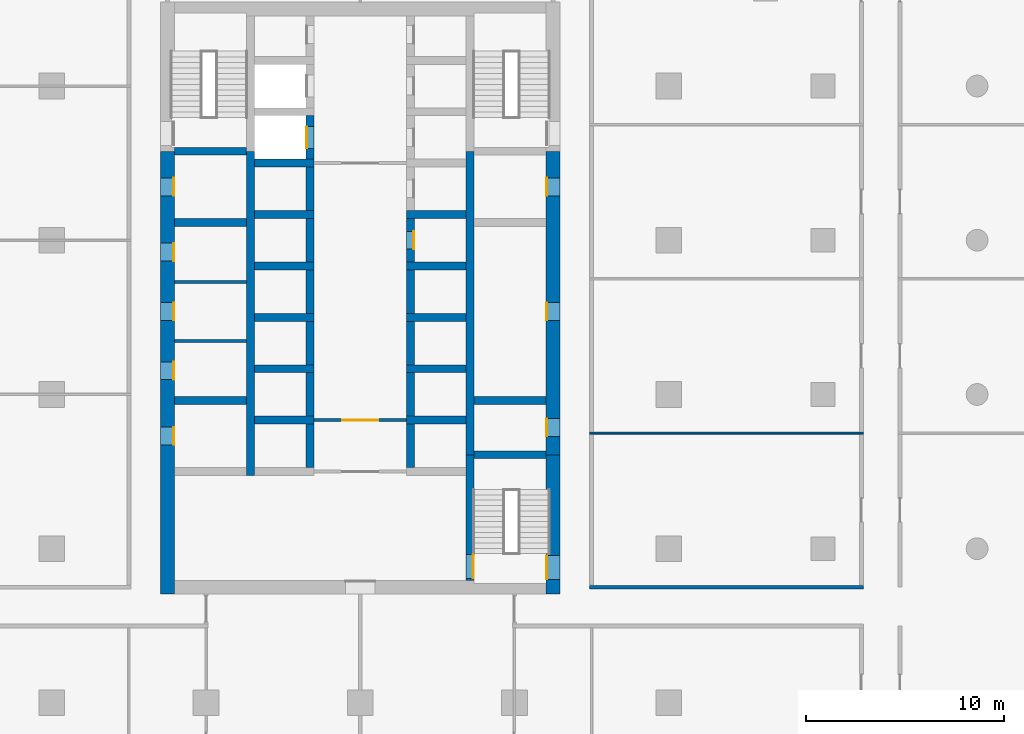
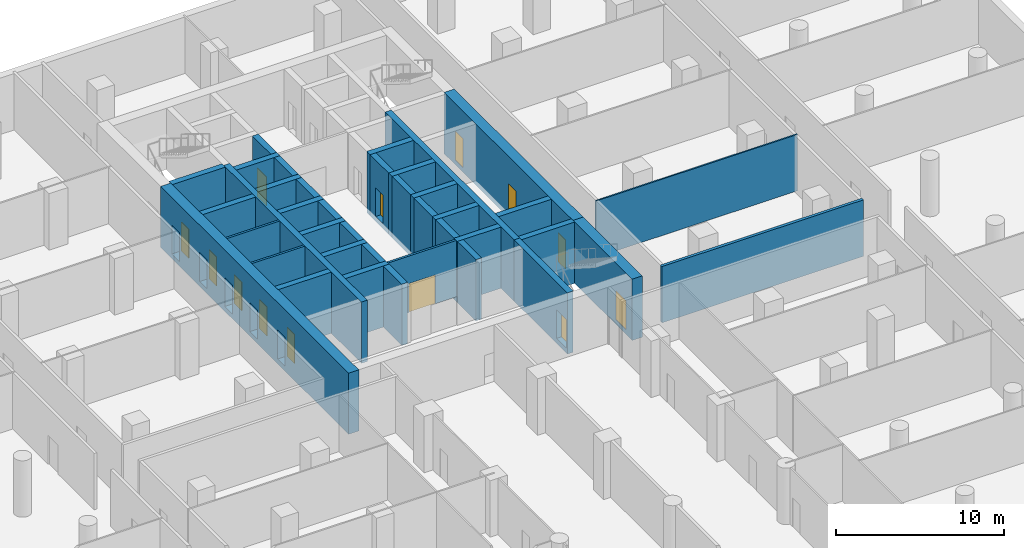
# One storey, part 6 of 14: 39 walls, 13 doors, 13 openings.
"""IFC4 building model written with IfcOpenShell, lengths in metres."""

from ifc_helpers import new_model, si_unit, direction, frame, frame_2d, origin, place, context, subcontext, project, spatial, rectangle, extrude, material, layer, layer_set, type_object, element, fill, save


model = new_model("IFC4")

# Units and contexts
model_context = context("Model", 3, precision=1e-05, world=origin(), true_north=direction((0.0, 1.0)))
body_context = subcontext(model_context, "Body", "Model", "MODEL_VIEW")
ifc_project = project(units=[si_unit("LENGTHUNIT", "METRE"), si_unit("AREAUNIT", "SQUARE_METRE"), si_unit("VOLUMEUNIT", "CUBIC_METRE"), si_unit("PLANEANGLEUNIT", "RADIAN"), si_unit("MASSUNIT", "GRAM", prefix="KILO")], contexts=[model_context])

# Site, building, storey
site_placement = place(None, origin())
site = spatial("IfcSite", under=ifc_project, at=site_placement, CompositionType="ELEMENT")
building_placement = place(site_placement, origin())
building = spatial("IfcBuilding", under=site, at=building_placement, Name="Ludao Terraces", CompositionType="ELEMENT")
storey_placement = place(building_placement, frame((0.0, 0.0, -4.5)))
storey = spatial("IfcBuildingStorey", under=building, at=storey_placement, Name="B1", CompositionType="ELEMENT", Elevation=-4.5)

# Wall, openings, doors
ifc_material_1 = material(Name="Concrete C70", Category="concrete")
ifc_layer_1 = layer(ifc_material_1, 0.699951171875)
ifc_layer_set_1 = layer_set([ifc_layer_1], Name="Core wall 700 C70")
wall_type_1 = type_object("IfcWallType", Name="Core wall 700 C70", PredefinedType="SOLIDWALL", material=ifc_layer_set_1)
wall_1_placement = place(storey_placement, frame((75.25, 54.89990234375, -0.35009765625), z_axis=(0.0, 0.0, 1.0), x_axis=(0.0, 1.0, 0.0)))
wall_1 = element("IfcWall", 1, at=wall_1_placement, inside=storey, type_object=wall_type_1, Name="Core wall B1 outer-W", PredefinedType="SOLIDWALL", context=body_context, shape_type="SweptSolid", body=[
    extrude(rectangle(XDim=22.400146484375, YDim=0.699951171875, at=frame_2d((11.2001953125, 0.0))), origin(), (0.0, 0.0, 1.0), 4.4501953125),
])
opening_1_placement = place(wall_1_placement, frame((7.550048828125, 0.0, 0.35009765625)))
opening_1 = element("IfcOpeningElement", 2, at=opening_1_placement, cuts=wall_1, Name="Opening B1-033", PredefinedType="OPENING", context=body_context, shape_type="SweptSolid", body=[
    extrude(rectangle(XDim=0.89990234375, YDim=2.10009765625, at=frame_2d((0.449951171875, 1.050048828125))), frame((0.0, 0.35986328125, 0.0), z_axis=(0.0, -1.0, 0.0), x_axis=(1.0, 0.0, 0.0)), (0.0, 0.0, 1.0), 0.719970703125),
])
opening_2_placement = place(wall_1_placement, frame((10.85009765625, 0.0, 0.35009765625)))
opening_2 = element("IfcOpeningElement", 3, at=opening_2_placement, cuts=wall_1, Name="Opening B1-036", PredefinedType="OPENING", context=body_context, shape_type="SweptSolid", body=[
    extrude(rectangle(XDim=0.89990234375, YDim=2.10009765625, at=frame_2d((0.449951171875, 1.050048828125))), frame((0.0, 0.35986328125, 0.0), z_axis=(0.0, -1.0, 0.0), x_axis=(1.0, 0.0, 0.0)), (0.0, 0.0, 1.0), 0.719970703125),
])
opening_3_placement = place(wall_1_placement, frame((13.85009765625, 0.0, 0.35009765625)))
opening_3 = element("IfcOpeningElement", 4, at=opening_3_placement, cuts=wall_1, Name="Opening B1-041", PredefinedType="OPENING", context=body_context, shape_type="SweptSolid", body=[
    extrude(rectangle(XDim=0.89990234375, YDim=2.10009765625, at=frame_2d((0.449951171875, 1.050048828125))), frame((0.0, 0.35986328125, 0.0), z_axis=(0.0, -1.0, 0.0), x_axis=(1.0, 0.0, 0.0)), (0.0, 0.0, 1.0), 0.719970703125),
])
opening_4_placement = place(wall_1_placement, frame((16.85009765625, 0.0, 0.35009765625)))
opening_4 = element("IfcOpeningElement", 5, at=opening_4_placement, cuts=wall_1, Name="Opening B1-043", PredefinedType="OPENING", context=body_context, shape_type="SweptSolid", body=[
    extrude(rectangle(XDim=0.89990234375, YDim=2.10009765625, at=frame_2d((0.449951171875, 1.050048828125))), frame((0.0, 0.35986328125, 0.0), z_axis=(0.0, -1.0, 0.0), x_axis=(1.0, 0.0, 0.0)), (0.0, 0.0, 1.0), 0.719970703125),
])
opening_5_placement = place(wall_1_placement, frame((20.14990234375, 0.0, 0.35009765625)))
opening_5 = element("IfcOpeningElement", 6, at=opening_5_placement, cuts=wall_1, Name="Opening B1-048", PredefinedType="OPENING", context=body_context, shape_type="SweptSolid", body=[
    extrude(rectangle(XDim=0.89990234375, YDim=2.10009765625, at=frame_2d((0.449951171875, 1.050048828125))), frame((0.0, 0.35986328125, 0.0), z_axis=(0.0, -1.0, 0.0), x_axis=(1.0, 0.0, 0.0)), (0.0, 0.0, 1.0), 0.719970703125),
])
ifc_material_2 = material(Name="Steel Q235", Category="steel")
door_type_1 = type_object("IfcDoorType", Name="INT Riser door 900", OperationType="SINGLE_SWING_LEFT", PredefinedType="DOOR", material=ifc_material_2)
door_1_placement = place(opening_1_placement, origin())
door_1 = element("IfcDoor", 7, at=door_1_placement, inside=storey, type_object=door_type_1, Name="DOOR 033", OperationType="SINGLE_SWING_LEFT", OverallHeight=2.10009765625, OverallWidth=0.89990234375, PredefinedType="DOOR", context=body_context, shape_type="SweptSolid", body=[
    extrude(rectangle(XDim=0.89990234375, YDim=2.10009765625, at=frame_2d((0.449951171875, 1.050048828125))), frame((0.0, -0.28515625, 0.0), z_axis=(0.0, -1.0, 0.0), x_axis=(1.0, 0.0, 0.0)), (0.0, 0.0, 1.0), 0.050048828125),
])
fill(opening_1, door_1)
door_2_placement = place(opening_5_placement, origin())
door_2 = element("IfcDoor", 8, at=door_2_placement, inside=storey, type_object=door_type_1, Name="DOOR 048", OperationType="SINGLE_SWING_RIGHT", OverallHeight=2.10009765625, OverallWidth=0.89990234375, PredefinedType="DOOR", context=body_context, shape_type="SweptSolid", body=[
    extrude(rectangle(XDim=0.89990234375, YDim=2.10009765625, at=frame_2d((0.449951171875, 1.050048828125))), frame((0.0, -0.28515625, 0.0), z_axis=(0.0, -1.0, 0.0), x_axis=(1.0, 0.0, 0.0)), (0.0, 0.0, 1.0), 0.050048828125),
])
fill(opening_5, door_2)
ifc_material_3 = material(Name="Timber door leaf", Category="wood")
door_type_2 = type_object("IfcDoorType", Name="INT Room door 900", OperationType="SINGLE_SWING_LEFT", PredefinedType="DOOR", material=ifc_material_3)
door_3_placement = place(opening_2_placement, origin())
door_3 = element("IfcDoor", 9, at=door_3_placement, inside=storey, type_object=door_type_2, Name="DOOR 036", OperationType="SINGLE_SWING_RIGHT", OverallHeight=2.10009765625, OverallWidth=0.89990234375, PredefinedType="DOOR", context=body_context, shape_type="SweptSolid", body=[
    extrude(rectangle(XDim=0.89990234375, YDim=2.10009765625, at=frame_2d((0.449951171875, 1.050048828125))), frame((0.0, -0.28515625, 0.0), z_axis=(0.0, -1.0, 0.0), x_axis=(1.0, 0.0, 0.0)), (0.0, 0.0, 1.0), 0.050048828125),
])
fill(opening_2, door_3)
door_4_placement = place(opening_3_placement, origin())
door_4 = element("IfcDoor", 10, at=door_4_placement, inside=storey, type_object=door_type_2, Name="DOOR 041", OperationType="SINGLE_SWING_RIGHT", OverallHeight=2.10009765625, OverallWidth=0.89990234375, PredefinedType="DOOR", context=body_context, shape_type="SweptSolid", body=[
    extrude(rectangle(XDim=0.89990234375, YDim=2.10009765625, at=frame_2d((0.449951171875, 1.050048828125))), frame((0.0, -0.28515625, 0.0), z_axis=(0.0, -1.0, 0.0), x_axis=(1.0, 0.0, 0.0)), (0.0, 0.0, 1.0), 0.050048828125),
])
fill(opening_3, door_4)
door_5_placement = place(opening_4_placement, origin())
door_5 = element("IfcDoor", 11, at=door_5_placement, inside=storey, type_object=door_type_2, Name="DOOR 043", OperationType="SINGLE_SWING_LEFT", OverallHeight=2.10009765625, OverallWidth=0.89990234375, PredefinedType="DOOR", context=body_context, shape_type="SweptSolid", body=[
    extrude(rectangle(XDim=0.89990234375, YDim=2.10009765625, at=frame_2d((0.449951171875, 1.050048828125))), frame((0.0, -0.28515625, 0.0), z_axis=(0.0, -1.0, 0.0), x_axis=(1.0, 0.0, 0.0)), (0.0, 0.0, 1.0), 0.050048828125),
])
fill(opening_4, door_5)

# Wall, opening, door
wall_2_placement = place(storey_placement, frame((94.75, 54.89990234375, -0.35009765625), z_axis=(0.0, 0.0, 1.0), x_axis=(0.0, 1.0, 0.0)))
wall_2 = element("IfcWall", 12, at=wall_2_placement, inside=storey, type_object=wall_type_1, Name="Core wall B1 outer-E-S3", PredefinedType="SOLIDWALL", context=body_context, shape_type="SweptSolid", body=[
    extrude(rectangle(XDim=7.050048828125, YDim=0.699951171875, at=frame_2d((3.52490234375, 0.0))), origin(), (0.0, 0.0, 1.0), 4.4501953125),
])
opening_6_placement = place(wall_2_placement, frame((0.75, 0.0, 0.35009765625)))
opening_6 = element("IfcOpeningElement", 13, at=opening_6_placement, cuts=wall_2, Name="Opening B1-027", PredefinedType="OPENING", context=body_context, shape_type="SweptSolid", body=[
    extrude(rectangle(XDim=1.199951171875, YDim=2.10009765625, at=frame_2d((0.60009765625, 1.050048828125))), frame((0.0, 0.35986328125, 0.0), z_axis=(0.0, -1.0, 0.0), x_axis=(1.0, 0.0, 0.0)), (0.0, 0.0, 1.0), 0.719970703125),
])
door_type_3 = type_object("IfcDoorType", Name="INT Stair door 1200", OperationType="DOUBLE_DOOR_SINGLE_SWING", PredefinedType="DOOR", material=ifc_material_2)
door_6_placement = place(opening_6_placement, origin())
door_6 = element("IfcDoor", 14, at=door_6_placement, inside=storey, type_object=door_type_3, Name="DOOR 027", OperationType="DOUBLE_DOOR_SINGLE_SWING", OverallHeight=2.10009765625, OverallWidth=1.199951171875, PredefinedType="DOOR", context=body_context, shape_type="SweptSolid", body=[
    extrude(rectangle(XDim=1.199951171875, YDim=2.10009765625, at=frame_2d((0.60009765625, 1.050048828125))), frame((0.0, 0.3349609375, 0.0), z_axis=(0.0, -1.0, 0.0), x_axis=(1.0, 0.0, 0.0)), (0.0, 0.0, 1.0), 0.050048828125),
])
fill(opening_6, door_6)

# Wall, openings, doors
wall_3_placement = place(storey_placement, frame((94.75, 61.949951171875, -0.35009765625), z_axis=(0.0, 0.0, 1.0), x_axis=(0.0, 1.0, 0.0)))
wall_3 = element("IfcWall", 15, at=wall_3_placement, inside=storey, type_object=wall_type_1, Name="Core wall B1 outer-E", PredefinedType="SOLIDWALL", context=body_context, shape_type="SweptSolid", body=[
    extrude(rectangle(XDim=15.35009765625, YDim=0.699951171875, at=frame_2d((7.675048828125, 0.0))), origin(), (0.0, 0.0, 1.0), 4.4501953125),
])
opening_7_placement = place(wall_3_placement, frame((0.925048828125, 0.0, 0.35009765625)))
opening_7 = element("IfcOpeningElement", 16, at=opening_7_placement, cuts=wall_3, Name="Opening B1-034", PredefinedType="OPENING", context=body_context, shape_type="SweptSolid", body=[
    extrude(rectangle(XDim=0.89990234375, YDim=2.10009765625, at=frame_2d((0.449951171875, 1.050048828125))), frame((0.0, 0.35986328125, 0.0), z_axis=(0.0, -1.0, 0.0), x_axis=(1.0, 0.0, 0.0)), (0.0, 0.0, 1.0), 0.719970703125),
])
opening_8_placement = place(wall_3_placement, frame((6.800048828125, 0.0, 0.35009765625)))
opening_8 = element("IfcOpeningElement", 17, at=opening_8_placement, cuts=wall_3, Name="Opening B1-042", PredefinedType="OPENING", context=body_context, shape_type="SweptSolid", body=[
    extrude(rectangle(XDim=0.89990234375, YDim=2.10009765625, at=frame_2d((0.449951171875, 1.050048828125))), frame((0.0, 0.35986328125, 0.0), z_axis=(0.0, -1.0, 0.0), x_axis=(1.0, 0.0, 0.0)), (0.0, 0.0, 1.0), 0.719970703125),
])
opening_9_placement = place(wall_3_placement, frame((13.10009765625, 0.0, 0.35009765625)))
opening_9 = element("IfcOpeningElement", 18, at=opening_9_placement, cuts=wall_3, Name="Opening B1-049", PredefinedType="OPENING", context=body_context, shape_type="SweptSolid", body=[
    extrude(rectangle(XDim=0.89990234375, YDim=2.10009765625, at=frame_2d((0.449951171875, 1.050048828125))), frame((0.0, 0.35986328125, 0.0), z_axis=(0.0, -1.0, 0.0), x_axis=(1.0, 0.0, 0.0)), (0.0, 0.0, 1.0), 0.719970703125),
])
door_7_placement = place(opening_7_placement, origin())
door_7 = element("IfcDoor", 19, at=door_7_placement, inside=storey, type_object=door_type_1, Name="DOOR 034", OperationType="SINGLE_SWING_RIGHT", OverallHeight=2.10009765625, OverallWidth=0.89990234375, PredefinedType="DOOR", context=body_context, shape_type="SweptSolid", body=[
    extrude(rectangle(XDim=0.89990234375, YDim=2.10009765625, at=frame_2d((0.449951171875, 1.050048828125))), frame((0.0, 0.3349609375, 0.0), z_axis=(0.0, -1.0, 0.0), x_axis=(1.0, 0.0, 0.0)), (0.0, 0.0, 1.0), 0.050048828125),
])
fill(opening_7, door_7)
door_8_placement = place(opening_9_placement, origin())
door_8 = element("IfcDoor", 20, at=door_8_placement, inside=storey, type_object=door_type_1, Name="DOOR 049", OperationType="SINGLE_SWING_LEFT", OverallHeight=2.10009765625, OverallWidth=0.89990234375, PredefinedType="DOOR", context=body_context, shape_type="SweptSolid", body=[
    extrude(rectangle(XDim=0.89990234375, YDim=2.10009765625, at=frame_2d((0.449951171875, 1.050048828125))), frame((0.0, 0.3349609375, 0.0), z_axis=(0.0, -1.0, 0.0), x_axis=(1.0, 0.0, 0.0)), (0.0, 0.0, 1.0), 0.050048828125),
])
fill(opening_9, door_8)
door_9_placement = place(opening_8_placement, origin())
door_9 = element("IfcDoor", 21, at=door_9_placement, inside=storey, type_object=door_type_2, Name="DOOR 042", OperationType="SINGLE_SWING_LEFT", OverallHeight=2.10009765625, OverallWidth=0.89990234375, PredefinedType="DOOR", context=body_context, shape_type="SweptSolid", body=[
    extrude(rectangle(XDim=0.89990234375, YDim=2.10009765625, at=frame_2d((0.449951171875, 1.050048828125))), frame((0.0, 0.3349609375, 0.0), z_axis=(0.0, -1.0, 0.0), x_axis=(1.0, 0.0, 0.0)), (0.0, 0.0, 1.0), 0.050048828125),
])
fill(opening_8, door_9)

# Wall, opening, door
ifc_material_4 = material(Name="Fire-rated gypsum plasterboard", Category="gypsum")
ifc_layer_2 = layer(ifc_material_4, 0.012451171875, Category="gypsum")
ifc_material_5 = material(Name="Mineral wool")
ifc_layer_3 = layer(ifc_material_5, 0.10009765625, Name="insulation")
ifc_layer_4 = layer(ifc_material_2, 0.02490234375, Name="stud")
ifc_layer_5 = layer(ifc_material_4, 0.012451171875, Category="gypsum")
ifc_layer_set_2 = layer_set([ifc_layer_2, ifc_layer_3, ifc_layer_4, ifc_layer_5], Name="INT Core partition 150")
wall_type_2 = type_object("IfcWallType", Name="INT Core partition 150", PredefinedType="PARTITIONING", material=ifc_layer_set_2)
wall_4_placement = place(storey_placement, frame((82.650146484375, 63.699951171875, 0.0), z_axis=(0.0, 0.0, 1.0), x_axis=(1.0, 0.0, 0.0)))
wall_4 = element("IfcWall", 22, at=wall_4_placement, inside=storey, type_object=wall_type_2, Name="PW-B1-PW022", PredefinedType="PARTITIONING", context=body_context, shape_type="SweptSolid", body=[
    extrude(rectangle(XDim=4.699951171875, YDim=0.14990234375, at=frame_2d((2.35009765625, 0.0))), origin(), (0.0, 0.0, 1.0), 4.10009765625),
])
opening_10_placement = place(wall_4_placement, frame((1.449951171875, 0.0, 0.0)))
opening_10 = element("IfcOpeningElement", 23, at=opening_10_placement, cuts=wall_4, Name="Opening B1-035", PredefinedType="OPENING", context=body_context, shape_type="SweptSolid", body=[
    extrude(rectangle(XDim=1.800048828125, YDim=2.10009765625, at=frame_2d((0.89990234375, 1.050048828125))), frame((0.0, 0.0849609375, 0.0), z_axis=(0.0, -1.0, 0.0), x_axis=(1.0, 0.0, 0.0)), (0.0, 0.0, 1.0), 0.169921875),
])
door_type_4 = type_object("IfcDoorType", Name="INT Fire lobby door 1800", OperationType="DOUBLE_DOOR_SINGLE_SWING", PredefinedType="DOOR", material=ifc_material_2)
door_10_placement = place(opening_10_placement, origin())
door_10 = element("IfcDoor", 24, at=door_10_placement, inside=storey, type_object=door_type_4, Name="DOOR 035", OperationType="DOUBLE_DOOR_SINGLE_SWING", OverallHeight=2.10009765625, OverallWidth=1.800048828125, PredefinedType="DOOR", context=body_context, shape_type="SweptSolid", body=[
    extrude(rectangle(XDim=1.800048828125, YDim=2.10009765625, at=frame_2d((0.89990234375, 1.050048828125))), frame((0.0, 0.02490234375, 0.0), z_axis=(0.0, -1.0, 0.0), x_axis=(1.0, 0.0, 0.0)), (0.0, 0.0, 1.0), 0.050048828125),
])
fill(opening_10, door_10)

# Walls
for number, where, z_axis, x_axis, name in (
    (25, (75.60009765625, 67.699951171875, 0.0), (0.0, 0.0, 1.0), (1.0, 0.0, 0.0), "PW-B1-PW025"),
    (26, (75.60009765625, 70.699951171875, 0.0), (0.0, 0.0, 1.0), (1.0, 0.0, 0.0), "PW-B1-PW026"),
):
    element("IfcWall", number, at=place(storey_placement, frame(where, z_axis=z_axis, x_axis=x_axis)), inside=storey, type_object=wall_type_2, Name=name, PredefinedType="PARTITIONING", context=body_context, shape_type="SweptSolid", body=[
        extrude(rectangle(XDim=3.64990234375, YDim=0.14990234375, at=frame_2d((1.824951171875, 0.0))), origin(), (0.0, 0.0, 1.0), 4.10009765625),
    ])
ifc_material_6 = material(Name="Autoclaved aerated concrete block B06 A3.5", Category="concrete")
ifc_layer_6 = layer(ifc_material_6, 0.199951171875)
ifc_layer_set_3 = layer_set([ifc_layer_6], Name="INT Entrance wall 200")
wall_type_3 = type_object("IfcWallType", Name="INT Entrance wall 200", PredefinedType="PARTITIONING", material=ifc_layer_set_3)
wall_5_placement = place(storey_placement, frame((96.60009765625, 55.25, 0.0), z_axis=(0.0, 0.0, 1.0), x_axis=(1.0, 0.0, 0.0)))
element("IfcWall", 27, at=wall_5_placement, inside=storey, type_object=wall_type_3, Name="PW-B1-PW018", PredefinedType="PARTITIONING", context=body_context, shape_type="SweptSolid", body=[
    extrude(rectangle(XDim=13.85009765625, YDim=0.199951171875, at=frame_2d((6.925048828125, 0.0))), origin(), (0.0, 0.0, 1.0), 4.10009765625),
])
ifc_material_7 = material(Name="Gypsum plasterboard", Category="gypsum")
ifc_layer_7 = layer(ifc_material_7, 0.012451171875, Category="gypsum")
ifc_layer_8 = layer(ifc_material_5, 0.06005859375, Name="insulation")
ifc_layer_9 = layer(ifc_material_2, 0.014892578125, Name="stud")
ifc_layer_10 = layer(ifc_material_7, 0.012451171875, Category="gypsum")
ifc_layer_set_4 = layer_set([ifc_layer_7, ifc_layer_8, ifc_layer_9, ifc_layer_10], Name="INT Partition 100")
wall_type_4 = type_object("IfcWallType", Name="INT Partition 100", PredefinedType="PARTITIONING", material=ifc_layer_set_4)
wall_6_placement = place(storey_placement, frame((96.60009765625, 63.050048828125, 0.0), z_axis=(0.0, 0.0, 1.0), x_axis=(1.0, 0.0, 0.0)))
element("IfcWall", 28, at=wall_6_placement, inside=storey, type_object=wall_type_4, Name="PW-B1-PW020", PredefinedType="PARTITIONING", context=body_context, shape_type="SweptSolid", body=[
    extrude(rectangle(XDim=13.85009765625, YDim=0.10009765625, at=frame_2d((6.925048828125, 0.0))), origin(), (0.0, 0.0, 1.0), 4.10009765625),
])
ifc_material_8 = material(Name="Concrete C60", Category="concrete")
ifc_layer_11 = layer(ifc_material_8, 0.39990234375)
ifc_layer_set_5 = layer_set([ifc_layer_11], Name="Shaft wall 400 C60")
wall_type_5 = type_object("IfcWallType", Name="Shaft wall 400 C60", PredefinedType="SOLIDWALL", material=ifc_layer_set_5)
wall_7_placement = place(storey_placement, frame((79.449951171875, 60.89990234375, -0.35009765625), z_axis=(0.0, 0.0, 1.0), x_axis=(0.0, 1.0, 0.0)))
element("IfcWall", 29, at=wall_7_placement, inside=storey, type_object=wall_type_5, Name="Core wall B1 back-W", PredefinedType="SOLIDWALL", context=body_context, shape_type="SweptSolid", body=[
    extrude(rectangle(XDim=16.400146484375, YDim=0.39990234375, at=frame_2d((8.2001953125, 0.0))), origin(), (0.0, 0.0, 1.0), 4.4501953125),
])

# Wall, opening, door
wall_8_placement = place(storey_placement, frame((90.550048828125, 55.60009765625, -0.35009765625), z_axis=(0.0, 0.0, 1.0), x_axis=(0.0, 1.0, 0.0)))
wall_8 = element("IfcWall", 30, at=wall_8_placement, inside=storey, type_object=wall_type_5, Name="Core wall B1 back-E-S3", PredefinedType="SOLIDWALL", context=body_context, shape_type="SweptSolid", body=[
    extrude(rectangle(XDim=6.349853515625, YDim=0.39990234375, at=frame_2d((3.1748046875, 0.0))), origin(), (0.0, 0.0, 1.0), 4.4501953125),
])
opening_11_placement = place(wall_8_placement, frame((0.10009765625, 0.0, 0.35009765625)))
opening_11 = element("IfcOpeningElement", 31, at=opening_11_placement, cuts=wall_8, Name="Opening B1-026", PredefinedType="OPENING", context=body_context, shape_type="SweptSolid", body=[
    extrude(rectangle(XDim=1.199951171875, YDim=2.10009765625, at=frame_2d((0.60009765625, 1.050048828125))), frame((0.0, 0.2099609375, 0.0), z_axis=(0.0, -1.0, 0.0), x_axis=(1.0, 0.0, 0.0)), (0.0, 0.0, 1.0), 0.419921875),
])
door_11_placement = place(opening_11_placement, origin())
door_11 = element("IfcDoor", 32, at=door_11_placement, inside=storey, type_object=door_type_3, Name="DOOR 026", OperationType="DOUBLE_DOOR_SINGLE_SWING", OverallHeight=2.10009765625, OverallWidth=1.199951171875, PredefinedType="DOOR", context=body_context, shape_type="SweptSolid", body=[
    extrude(rectangle(XDim=1.199951171875, YDim=2.10009765625, at=frame_2d((0.60009765625, 1.050048828125))), frame((0.0, -0.134765625, 0.0), z_axis=(0.0, -1.0, 0.0), x_axis=(1.0, 0.0, 0.0)), (0.0, 0.0, 1.0), 0.050048828125),
])
fill(opening_11, door_11)

# Walls
wall_9_placement = place(storey_placement, frame((90.550048828125, 61.949951171875, -0.35009765625), z_axis=(0.0, 0.0, 1.0), x_axis=(0.0, 1.0, 0.0)))
element("IfcWall", 33, at=wall_9_placement, inside=storey, type_object=wall_type_5, Name="Core wall B1 back-E", PredefinedType="SOLIDWALL", context=body_context, shape_type="SweptSolid", body=[
    extrude(rectangle(XDim=15.35009765625, YDim=0.39990234375, at=frame_2d((7.675048828125, 0.0))), origin(), (0.0, 0.0, 1.0), 4.4501953125),
])
wall_10_placement = place(storey_placement, frame((82.449951171875, 61.300048828125, -0.35009765625), z_axis=(0.0, 0.0, 1.0), x_axis=(0.0, 1.0, 0.0)))
element("IfcWall", 34, at=wall_10_placement, inside=storey, type_object=wall_type_5, Name="Core wall B1 front-W1", PredefinedType="SOLIDWALL", context=body_context, shape_type="SweptSolid", body=[
    extrude(rectangle(XDim=2.199951171875, YDim=0.39990234375, at=frame_2d((1.10009765625, 0.0))), origin(), (0.0, 0.0, 1.0), 4.4501953125),
])
wall_11_placement = place(storey_placement, frame((79.64990234375, 63.699951171875, -0.35009765625), z_axis=(0.0, 0.0, 1.0), x_axis=(1.0, 0.0, 0.0)))
element("IfcWall", 35, at=wall_11_placement, inside=storey, type_object=wall_type_5, Name="Core wall B1 div-W2", PredefinedType="SOLIDWALL", context=body_context, shape_type="SweptSolid", body=[
    extrude(rectangle(XDim=3.0, YDim=0.39990234375, at=frame_2d((1.5, 0.0))), origin(), (0.0, 0.0, 1.0), 4.4501953125),
])
wall_12_placement = place(storey_placement, frame((82.449951171875, 63.89990234375, -0.35009765625), z_axis=(0.0, 0.0, 1.0), x_axis=(0.0, 1.0, 0.0)))
element("IfcWall", 36, at=wall_12_placement, inside=storey, type_object=wall_type_5, Name="Core wall B1 front-W2", PredefinedType="SOLIDWALL", context=body_context, shape_type="SweptSolid", body=[
    extrude(rectangle(XDim=2.2001953125, YDim=0.39990234375, at=frame_2d((1.10009765625, 0.0))), origin(), (0.0, 0.0, 1.0), 4.4501953125),
])
wall_13_placement = place(storey_placement, frame((79.64990234375, 66.300048828125, -0.35009765625), z_axis=(0.0, 0.0, 1.0), x_axis=(1.0, 0.0, 0.0)))
element("IfcWall", 37, at=wall_13_placement, inside=storey, type_object=wall_type_5, Name="Core wall B1 div-W3", PredefinedType="SOLIDWALL", context=body_context, shape_type="SweptSolid", body=[
    extrude(rectangle(XDim=3.0, YDim=0.39990234375, at=frame_2d((1.5, 0.0))), origin(), (0.0, 0.0, 1.0), 4.4501953125),
])
wall_14_placement = place(storey_placement, frame((82.449951171875, 66.5, -0.35009765625), z_axis=(0.0, 0.0, 1.0), x_axis=(0.0, 1.0, 0.0)))
element("IfcWall", 38, at=wall_14_placement, inside=storey, type_object=wall_type_5, Name="Core wall B1 front-W3", PredefinedType="SOLIDWALL", context=body_context, shape_type="SweptSolid", body=[
    extrude(rectangle(XDim=2.199951171875, YDim=0.39990234375, at=frame_2d((1.10009765625, 0.0))), origin(), (0.0, 0.0, 1.0), 4.4501953125),
])
wall_15_placement = place(storey_placement, frame((79.64990234375, 68.89990234375, -0.35009765625), z_axis=(0.0, 0.0, 1.0), x_axis=(1.0, 0.0, 0.0)))
element("IfcWall", 39, at=wall_15_placement, inside=storey, type_object=wall_type_5, Name="Core wall B1 div-W4", PredefinedType="SOLIDWALL", context=body_context, shape_type="SweptSolid", body=[
    extrude(rectangle(XDim=3.0, YDim=0.39990234375, at=frame_2d((1.5, 0.0))), origin(), (0.0, 0.0, 1.0), 4.4501953125),
])
wall_16_placement = place(storey_placement, frame((82.449951171875, 69.10009765625, -0.35009765625), z_axis=(0.0, 0.0, 1.0), x_axis=(0.0, 1.0, 0.0)))
element("IfcWall", 40, at=wall_16_placement, inside=storey, type_object=wall_type_5, Name="Core wall B1 front-W4", PredefinedType="SOLIDWALL", context=body_context, shape_type="SweptSolid", body=[
    extrude(rectangle(XDim=2.199951171875, YDim=0.39990234375, at=frame_2d((1.10009765625, 0.0))), origin(), (0.0, 0.0, 1.0), 4.4501953125),
])
wall_17_placement = place(storey_placement, frame((79.64990234375, 71.5, -0.35009765625), z_axis=(0.0, 0.0, 1.0), x_axis=(1.0, 0.0, 0.0)))
element("IfcWall", 41, at=wall_17_placement, inside=storey, type_object=wall_type_5, Name="Core wall B1 div-W5", PredefinedType="SOLIDWALL", context=body_context, shape_type="SweptSolid", body=[
    extrude(rectangle(XDim=3.0, YDim=0.39990234375, at=frame_2d((1.5, 0.0))), origin(), (0.0, 0.0, 1.0), 4.4501953125),
])
wall_18_placement = place(storey_placement, frame((82.449951171875, 71.699951171875, -0.35009765625), z_axis=(0.0, 0.0, 1.0), x_axis=(0.0, 1.0, 0.0)))
element("IfcWall", 42, at=wall_18_placement, inside=storey, type_object=wall_type_5, Name="Core wall B1 front-W5", PredefinedType="SOLIDWALL", context=body_context, shape_type="SweptSolid", body=[
    extrude(rectangle(XDim=2.199951171875, YDim=0.39990234375, at=frame_2d((1.10009765625, 0.0))), origin(), (0.0, 0.0, 1.0), 4.4501953125),
])
wall_19_placement = place(storey_placement, frame((79.64990234375, 74.10009765625, -0.35009765625), z_axis=(0.0, 0.0, 1.0), x_axis=(1.0, 0.0, 0.0)))
element("IfcWall", 43, at=wall_19_placement, inside=storey, type_object=wall_type_5, Name="Core wall B1 div-W6", PredefinedType="SOLIDWALL", context=body_context, shape_type="SweptSolid", body=[
    extrude(rectangle(XDim=3.0, YDim=0.39990234375, at=frame_2d((1.5, 0.0))), origin(), (0.0, 0.0, 1.0), 4.4501953125),
])
wall_20_placement = place(storey_placement, frame((82.449951171875, 74.300048828125, -0.35009765625), z_axis=(0.0, 0.0, 1.0), x_axis=(0.0, 1.0, 0.0)))
element("IfcWall", 44, at=wall_20_placement, inside=storey, type_object=wall_type_5, Name="Core wall B1 front-W6", PredefinedType="SOLIDWALL", context=body_context, shape_type="SweptSolid", body=[
    extrude(rectangle(XDim=2.199951171875, YDim=0.39990234375, at=frame_2d((1.10009765625, 0.0))), origin(), (0.0, 0.0, 1.0), 4.4501953125),
])
wall_21_placement = place(storey_placement, frame((79.64990234375, 76.699951171875, -0.35009765625), z_axis=(0.0, 0.0, 1.0), x_axis=(1.0, 0.0, 0.0)))
element("IfcWall", 45, at=wall_21_placement, inside=storey, type_object=wall_type_5, Name="Core wall B1 div-W7", PredefinedType="SOLIDWALL", context=body_context, shape_type="SweptSolid", body=[
    extrude(rectangle(XDim=3.0, YDim=0.39990234375, at=frame_2d((1.5, 0.0))), origin(), (0.0, 0.0, 1.0), 4.4501953125),
])

# Wall, opening, door
wall_22_placement = place(storey_placement, frame((82.449951171875, 76.89990234375, -0.35009765625), z_axis=(0.0, 0.0, 1.0), x_axis=(0.0, 1.0, 0.0)))
wall_22 = element("IfcWall", 46, at=wall_22_placement, inside=storey, type_object=wall_type_5, Name="Core wall B1 front-W7", PredefinedType="SOLIDWALL", context=body_context, shape_type="SweptSolid", body=[
    extrude(rectangle(XDim=2.2001953125, YDim=0.39990234375, at=frame_2d((1.10009765625, 0.0))), origin(), (0.0, 0.0, 1.0), 4.4501953125),
])
opening_12_placement = place(wall_22_placement, frame((0.550048828125, 0.0, 0.35009765625)))
opening_12 = element("IfcOpeningElement", 47, at=opening_12_placement, cuts=wall_22, Name="Opening LD-FF1", PredefinedType="OPENING", context=body_context, shape_type="SweptSolid", body=[
    extrude(rectangle(XDim=1.10009765625, YDim=2.10009765625, at=frame_2d((0.550048828125, 1.050048828125))), frame((0.0, 0.2099609375, 0.0), z_axis=(0.0, -1.0, 0.0), x_axis=(1.0, 0.0, 0.0)), (0.0, 0.0, 1.0), 0.419921875),
])
ifc_material_9 = material(Name="Stainless steel 304", Category="steel")
door_type_5 = type_object("IfcDoorType", Name="INT Lift landing door 1100", OperationType="SLIDING_TO_LEFT", PredefinedType="DOOR", material=ifc_material_9)
door_12_placement = place(opening_12_placement, origin())
door_12 = element("IfcDoor", 48, at=door_12_placement, inside=storey, type_object=door_type_5, Name="LANDING DOOR FF1 B1", OperationType="SLIDING_TO_LEFT", OverallHeight=2.10009765625, OverallWidth=1.10009765625, PredefinedType="DOOR", context=body_context, shape_type="SweptSolid", body=[
    extrude(rectangle(XDim=1.10009765625, YDim=2.10009765625, at=frame_2d((0.550048828125, 1.050048828125))), frame((0.0, 0.18505859375, 0.0), z_axis=(0.0, -1.0, 0.0), x_axis=(1.0, 0.0, 0.0)), (0.0, 0.0, 1.0), 0.050048828125),
])
fill(opening_12, door_12)

# Walls
wall_23_placement = place(storey_placement, frame((87.550048828125, 61.300048828125, -0.35009765625), z_axis=(0.0, 0.0, 1.0), x_axis=(0.0, 1.0, 0.0)))
element("IfcWall", 49, at=wall_23_placement, inside=storey, type_object=wall_type_5, Name="Core wall B1 front-E1", PredefinedType="SOLIDWALL", context=body_context, shape_type="SweptSolid", body=[
    extrude(rectangle(XDim=2.199951171875, YDim=0.39990234375, at=frame_2d((1.10009765625, 0.0))), origin(), (0.0, 0.0, 1.0), 4.4501953125),
])
wall_24_placement = place(storey_placement, frame((87.35009765625, 63.699951171875, -0.35009765625), z_axis=(0.0, 0.0, 1.0), x_axis=(1.0, 0.0, 0.0)))
element("IfcWall", 50, at=wall_24_placement, inside=storey, type_object=wall_type_5, Name="Core wall B1 div-E2", PredefinedType="SOLIDWALL", context=body_context, shape_type="SweptSolid", body=[
    extrude(rectangle(XDim=3.0, YDim=0.39990234375, at=frame_2d((1.5, 0.0))), origin(), (0.0, 0.0, 1.0), 4.4501953125),
])
wall_25_placement = place(storey_placement, frame((87.550048828125, 63.89990234375, -0.35009765625), z_axis=(0.0, 0.0, 1.0), x_axis=(0.0, 1.0, 0.0)))
element("IfcWall", 51, at=wall_25_placement, inside=storey, type_object=wall_type_5, Name="Core wall B1 front-E2", PredefinedType="SOLIDWALL", context=body_context, shape_type="SweptSolid", body=[
    extrude(rectangle(XDim=2.2001953125, YDim=0.39990234375, at=frame_2d((1.10009765625, 0.0))), origin(), (0.0, 0.0, 1.0), 4.4501953125),
])
wall_26_placement = place(storey_placement, frame((87.35009765625, 66.300048828125, -0.35009765625), z_axis=(0.0, 0.0, 1.0), x_axis=(1.0, 0.0, 0.0)))
element("IfcWall", 52, at=wall_26_placement, inside=storey, type_object=wall_type_5, Name="Core wall B1 div-E3", PredefinedType="SOLIDWALL", context=body_context, shape_type="SweptSolid", body=[
    extrude(rectangle(XDim=3.0, YDim=0.39990234375, at=frame_2d((1.5, 0.0))), origin(), (0.0, 0.0, 1.0), 4.4501953125),
])
wall_27_placement = place(storey_placement, frame((87.550048828125, 66.5, -0.35009765625), z_axis=(0.0, 0.0, 1.0), x_axis=(0.0, 1.0, 0.0)))
element("IfcWall", 53, at=wall_27_placement, inside=storey, type_object=wall_type_5, Name="Core wall B1 front-E3", PredefinedType="SOLIDWALL", context=body_context, shape_type="SweptSolid", body=[
    extrude(rectangle(XDim=2.199951171875, YDim=0.39990234375, at=frame_2d((1.10009765625, 0.0))), origin(), (0.0, 0.0, 1.0), 4.4501953125),
])
wall_28_placement = place(storey_placement, frame((87.35009765625, 68.89990234375, -0.35009765625), z_axis=(0.0, 0.0, 1.0), x_axis=(1.0, 0.0, 0.0)))
element("IfcWall", 54, at=wall_28_placement, inside=storey, type_object=wall_type_5, Name="Core wall B1 div-E4", PredefinedType="SOLIDWALL", context=body_context, shape_type="SweptSolid", body=[
    extrude(rectangle(XDim=3.0, YDim=0.39990234375, at=frame_2d((1.5, 0.0))), origin(), (0.0, 0.0, 1.0), 4.4501953125),
])
wall_29_placement = place(storey_placement, frame((87.550048828125, 69.10009765625, -0.35009765625), z_axis=(0.0, 0.0, 1.0), x_axis=(0.0, 1.0, 0.0)))
element("IfcWall", 55, at=wall_29_placement, inside=storey, type_object=wall_type_5, Name="Core wall B1 front-E4", PredefinedType="SOLIDWALL", context=body_context, shape_type="SweptSolid", body=[
    extrude(rectangle(XDim=2.199951171875, YDim=0.39990234375, at=frame_2d((1.10009765625, 0.0))), origin(), (0.0, 0.0, 1.0), 4.4501953125),
])
wall_30_placement = place(storey_placement, frame((87.35009765625, 71.5, -0.35009765625), z_axis=(0.0, 0.0, 1.0), x_axis=(1.0, 0.0, 0.0)))
element("IfcWall", 56, at=wall_30_placement, inside=storey, type_object=wall_type_5, Name="Core wall B1 div-E5", PredefinedType="SOLIDWALL", context=body_context, shape_type="SweptSolid", body=[
    extrude(rectangle(XDim=3.0, YDim=0.39990234375, at=frame_2d((1.5, 0.0))), origin(), (0.0, 0.0, 1.0), 4.4501953125),
])

# Wall, opening, door
wall_31_placement = place(storey_placement, frame((87.550048828125, 71.699951171875, -0.35009765625), z_axis=(0.0, 0.0, 1.0), x_axis=(0.0, 1.0, 0.0)))
wall_31 = element("IfcWall", 57, at=wall_31_placement, inside=storey, type_object=wall_type_5, Name="Core wall B1 front-E5", PredefinedType="SOLIDWALL", context=body_context, shape_type="SweptSolid", body=[
    extrude(rectangle(XDim=2.199951171875, YDim=0.39990234375, at=frame_2d((1.10009765625, 0.0))), origin(), (0.0, 0.0, 1.0), 4.4501953125),
])
opening_13_placement = place(wall_31_placement, frame((0.64990234375, 0.0, 0.35009765625)))
opening_13 = element("IfcOpeningElement", 58, at=opening_13_placement, cuts=wall_31, Name="Opening B1-044", PredefinedType="OPENING", context=body_context, shape_type="SweptSolid", body=[
    extrude(rectangle(XDim=0.89990234375, YDim=2.10009765625, at=frame_2d((0.449951171875, 1.050048828125))), frame((0.0, 0.2099609375, 0.0), z_axis=(0.0, -1.0, 0.0), x_axis=(1.0, 0.0, 0.0)), (0.0, 0.0, 1.0), 0.419921875),
])
door_13_placement = place(opening_13_placement, origin())
door_13 = element("IfcDoor", 59, at=door_13_placement, inside=storey, type_object=door_type_2, Name="DOOR 044", OperationType="SINGLE_SWING_RIGHT", OverallHeight=2.10009765625, OverallWidth=0.89990234375, PredefinedType="DOOR", context=body_context, shape_type="SweptSolid", body=[
    extrude(rectangle(XDim=0.89990234375, YDim=2.10009765625, at=frame_2d((0.449951171875, 1.050048828125))), frame((0.0, -0.134765625, 0.0), z_axis=(0.0, -1.0, 0.0), x_axis=(1.0, 0.0, 0.0)), (0.0, 0.0, 1.0), 0.050048828125),
])
fill(opening_13, door_13)

# Walls
wall_32_placement = place(storey_placement, frame((87.35009765625, 74.10009765625, -0.35009765625), z_axis=(0.0, 0.0, 1.0), x_axis=(1.0, 0.0, 0.0)))
element("IfcWall", 60, at=wall_32_placement, inside=storey, type_object=wall_type_5, Name="Core wall B1 div-E6", PredefinedType="SOLIDWALL", context=body_context, shape_type="SweptSolid", body=[
    extrude(rectangle(XDim=3.0, YDim=0.39990234375, at=frame_2d((1.5, 0.0))), origin(), (0.0, 0.0, 1.0), 4.4501953125),
])
for number, where, z_axis, x_axis, name in (
    (61, (75.60009765625, 64.699951171875, -0.35009765625), (0.0, 0.0, 1.0), (1.0, 0.0, 0.0), "Core wall B1 riser-a-W"),
    (62, (75.60009765625, 73.699951171875, -0.35009765625), (0.0, 0.0, 1.0), (1.0, 0.0, 0.0), "Core wall B1 riser-b-W"),
    (63, (75.60009765625, 77.300048828125, -0.35009765625), (0.0, 0.0, 1.0), (1.0, 0.0, 0.0), "Core wall B1 stair-W"),
    (64, (90.75, 61.949951171875, -0.35009765625), (0.0, 0.0, 1.0), (1.0, 0.0, 0.0), "Core wall B1 hall-E"),
    (65, (90.75, 64.699951171875, -0.35009765625), (0.0, 0.0, 1.0), (1.0, 0.0, 0.0), "Core wall B1 riser-a-E"),
):
    element("IfcWall", number, at=place(storey_placement, frame(where, z_axis=z_axis, x_axis=x_axis)), inside=storey, type_object=wall_type_5, Name=name, PredefinedType="SOLIDWALL", context=body_context, shape_type="SweptSolid", body=[
        extrude(rectangle(XDim=3.64990234375, YDim=0.39990234375, at=frame_2d((1.824951171875, 0.0))), origin(), (0.0, 0.0, 1.0), 4.4501953125),
    ])

save(model, "model.ifc")
